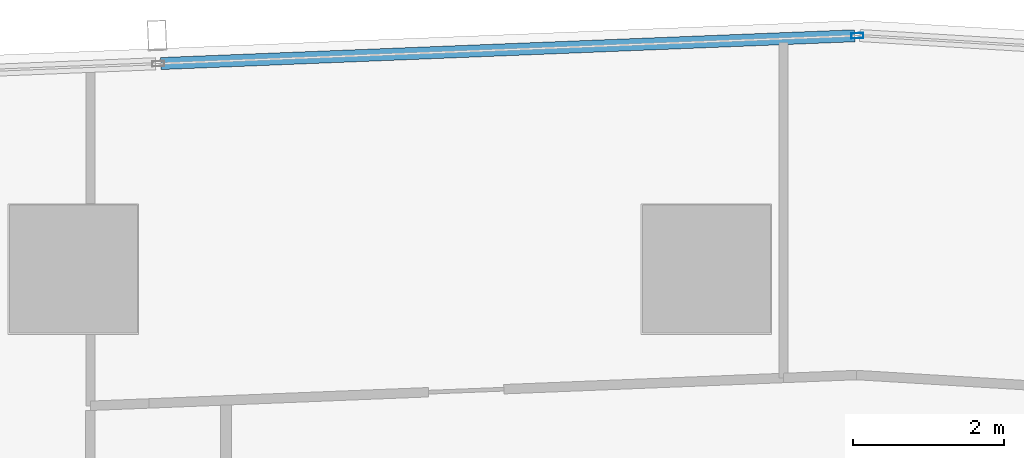
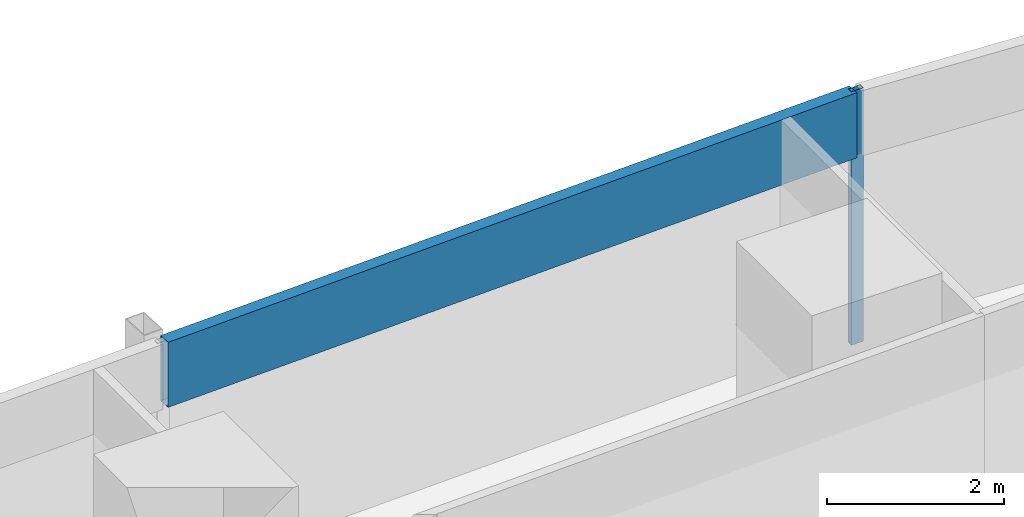
# One storey, part 21 of 40: 2 members, 1 element without a shape of its own.
"""IFC4 building model written with IfcOpenShell, lengths in metres."""

from ifc_helpers import new_model, si_unit, direction, frame, origin, origin_2d, place, context, subcontext, project, spatial, hollow_rectangle, extrude, material, material_profile, profile_set, type_object, element, aggregate, save


model = new_model("IFC4")

# Units and contexts
model_context = context("Model", 3, precision=1e-05, world=origin(), true_north=direction((0.0, 1.0)))
body_context = subcontext(model_context, "Body", "Model", "MODEL_VIEW")
ifc_project = project(units=[si_unit("LENGTHUNIT", "METRE"), si_unit("AREAUNIT", "SQUARE_METRE"), si_unit("VOLUMEUNIT", "CUBIC_METRE"), si_unit("PLANEANGLEUNIT", "RADIAN"), si_unit("MASSUNIT", "GRAM", prefix="KILO")], contexts=[model_context])

# Site, building, storey
site_placement = place(None, origin())
site = spatial("IfcSite", under=ifc_project, at=site_placement, CompositionType="ELEMENT")
building_placement = place(site_placement, origin())
building = spatial("IfcBuilding", under=site, at=building_placement, Name="Rekha Terrace Tower", CompositionType="ELEMENT")
storey_placement = place(building_placement, frame((0.0, 0.0, 110.300048828125)))
storey = spatial("IfcBuildingStorey", under=building, at=storey_placement, Name="L27", CompositionType="ELEMENT", Elevation=110.300048828125)

# Curtain wall, members
ifc_material_1 = material(Name="Aluminium framing", Category="aluminium")
curtain_wall_type = type_object("IfcCurtainWallType", Name="CW3 north unitised glazing", PredefinedType="USERDEFINED", material=ifc_material_1)
curtain_wall_placement = place(storey_placement, origin())
curtain_wall = element("IfcCurtainWall", 1, at=curtain_wall_placement, inside=storey, type_object=curtain_wall_type, Name="CW3 unitised curtain wall", ObjectType="UNITISED CURTAIN WALL", PredefinedType="USERDEFINED")
ifc_material_2 = material(Name="Aluminium mullion section", Category="aluminium")
ifc_material_profile_1 = material_profile(ifc_material_2, hollow_rectangle(XDim=0.070068359375, YDim=0.159912109375, WallThickness=0.00390625, at=origin_2d()), Name="AL RHS 70x160")
ifc_profile_set_1 = profile_set([ifc_material_profile_1], Name="Aluminium mullion section")
member_type_1 = type_object("IfcMemberType", Name="CW3 mullion RHS 70 x 160", PredefinedType="MULLION", material=ifc_profile_set_1)
member_1_placement = place(storey_placement, frame((44.0029296875, 61.8984375, 0.0), z_axis=(0.0, 0.0, 1.0), x_axis=(0.040031987119, -0.999198398721, 0.0)))
member_1 = element("IfcMember", 2, at=member_1_placement, type_object=member_type_1, Name="CW3 mullion 1", PredefinedType="MULLION", context=body_context, shape_type="SweptSolid", body=[
    extrude(hollow_rectangle(XDim=0.070068359375, YDim=0.159912109375, WallThickness=0.00390625, at=origin_2d()), origin(), (0.0, 0.0, 1.0), 3.5),
])
ifc_material_3 = material(Name="Insulated aluminium spandrel box", Category="aluminium")
ifc_material_profile_2 = material_profile(ifc_material_3, hollow_rectangle(XDim=0.159912109375, YDim=0.89990234375, WallThickness=0.0029296875, at=origin_2d()), Name="AL SPANDREL BOX 160x900")
ifc_profile_set_2 = profile_set([ifc_material_profile_2], Name="Insulated aluminium spandrel box")
member_type_2 = type_object("IfcMemberType", Name="CW3 spandrel transom 160 x 900", PredefinedType="USERDEFINED", material=ifc_profile_set_2)
member_2_placement = place(storey_placement, frame((43.968017578125, 61.89697265625, 3.050048828125), z_axis=(-0.999198290018, -0.04003470026, 0.0), x_axis=(0.04003470026, -0.999198290018, 0.0)))
member_2 = element("IfcMember", 3, at=member_2_placement, type_object=member_type_2, Name="CW3 spandrel transom 1", ObjectType="TRANSOM", PredefinedType="USERDEFINED", context=body_context, shape_type="SweptSolid", body=[
    extrude(hollow_rectangle(XDim=0.159912109375, YDim=0.89990234375, WallThickness=0.0029296875, at=origin_2d()), origin(), (0.0, 0.0, 1.0), 9.21435546875),
])
aggregate(curtain_wall, [member_1, member_2])

save(model, "model.ifc")
